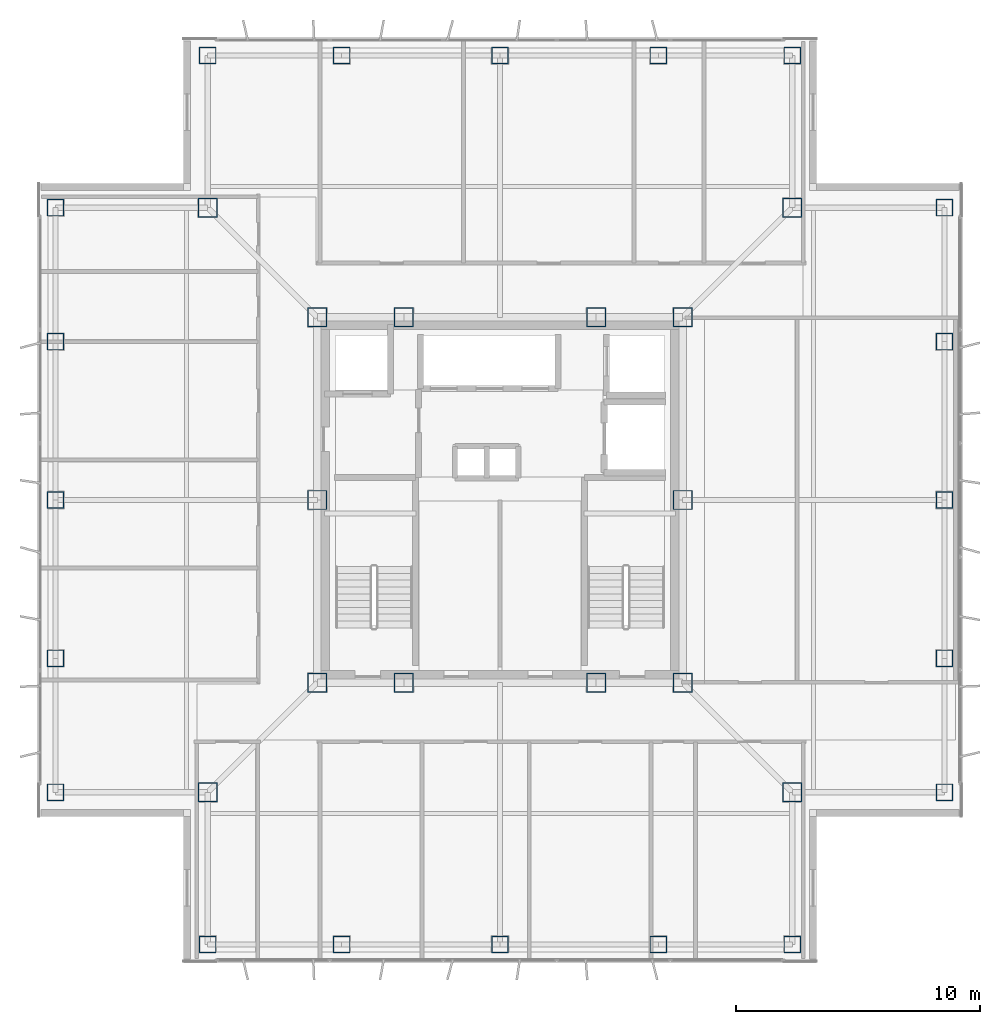
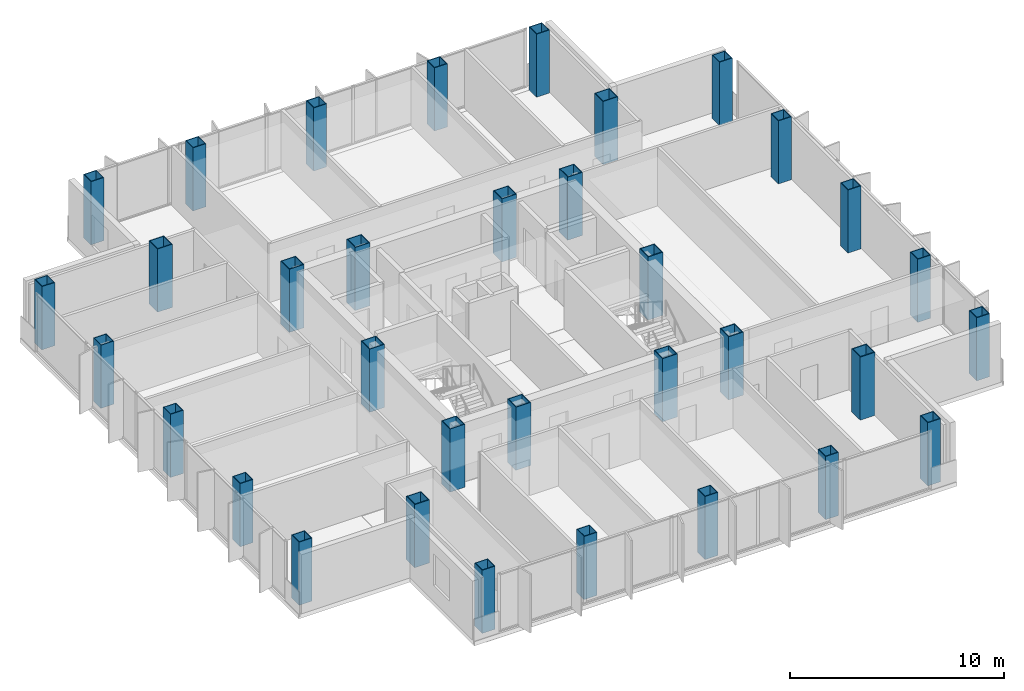
# One storey, part 1 of 15: 34 columns.
"""IFC4 building model written with IfcOpenShell, lengths in metres."""

from ifc_helpers import new_model, si_unit, direction, frame, origin, origin_2d, place, context, subcontext, project, spatial, hollow_rectangle, extrude, material, material_profile, profile_set, type_object, element, save


model = new_model("IFC4")

# Units and contexts
model_context = context("Model", 3, precision=1e-05, world=origin(), true_north=direction((0.0, 1.0)))
body_context = subcontext(model_context, "Body", "Model", "MODEL_VIEW")
ifc_project = project(units=[si_unit("LENGTHUNIT", "METRE"), si_unit("AREAUNIT", "SQUARE_METRE"), si_unit("VOLUMEUNIT", "CUBIC_METRE"), si_unit("PLANEANGLEUNIT", "RADIAN"), si_unit("MASSUNIT", "GRAM", prefix="KILO")], contexts=[model_context])

# Site, building, storey
site_placement = place(None, origin())
site = spatial("IfcSite", under=ifc_project, at=site_placement, CompositionType="ELEMENT")
building_placement = place(site_placement, origin())
building = spatial("IfcBuilding", under=site, at=building_placement, Name="Trevonay Congress Spire", CompositionType="ELEMENT")
storey_placement = place(building_placement, frame((0.0, 0.0, 239.60009765625)))
storey = spatial("IfcBuildingStorey", under=building, at=storey_placement, Name="L62", CompositionType="ELEMENT", Elevation=239.60009765625)

# Columns
ifc_material = material(Name="Steel ASTM A572 Grade 50", Category="steel")
ifc_material_profile_1 = material_profile(ifc_material, hollow_rectangle(XDim=0.800048828125, YDim=0.800048828125, WallThickness=0.0400390625, at=origin_2d()), Name="BOX 800x800x40")
ifc_profile_set_1 = profile_set([ifc_material_profile_1], Name="Steel ASTM A572 Grade 50")
column_type_1 = type_object("IfcColumnType", Name="COL-CORE-BOX800", PredefinedType="COLUMN", material=ifc_profile_set_1)
for number, where, z_axis, x_axis, name in (
    (1, (-7.5, -7.5, 0.0), (0.0, 0.0, 1.0), (1.0, 0.0, 0.0), "L62 column C05 at CC-SW"),
    (2, (-3.949951171875, -7.5, 0.0), (0.0, 0.0, 1.0), (1.0, 0.0, 0.0), "L62 column C05 at CC-SMW"),
    (3, (3.949951171875, -7.5, 0.0), (0.0, 0.0, 1.0), (1.0, 0.0, 0.0), "L62 column C05 at CC-SME"),
    (4, (7.5, -7.5, 0.0), (0.0, 0.0, 1.0), (1.0, 0.0, 0.0), "L62 column C05 at CC-SE"),
    (5, (7.5, 0.0, 0.0), (0.0, 0.0, 1.0), (1.0, 0.0, 0.0), "L62 column C05 at CC-E"),
    (6, (7.5, 7.5, 0.0), (0.0, 0.0, 1.0), (1.0, 0.0, 0.0), "L62 column C05 at CC-NE"),
    (7, (3.949951171875, 7.5, 0.0), (0.0, 0.0, 1.0), (1.0, 0.0, 0.0), "L62 column C05 at CC-NME"),
    (8, (-3.949951171875, 7.5, 0.0), (0.0, 0.0, 1.0), (1.0, 0.0, 0.0), "L62 column C05 at CC-NMW"),
    (9, (-7.5, 7.5, 0.0), (0.0, 0.0, 1.0), (1.0, 0.0, 0.0), "L62 column C05 at CC-NW"),
    (10, (-7.5, 0.0, 0.0), (0.0, 0.0, 1.0), (1.0, 0.0, 0.0), "L62 column C05 at CC-W"),
):
    element("IfcColumn", number, at=place(storey_placement, frame(where, z_axis=z_axis, x_axis=x_axis)), inside=storey, type_object=column_type_1, Name=name, PredefinedType="COLUMN", context=body_context, shape_type="SweptSolid", body=[
        extrude(hollow_rectangle(XDim=0.800048828125, YDim=0.800048828125, WallThickness=0.0400390625, at=origin_2d()), origin(), (0.0, 0.0, 1.0), 3.599853515625),
    ])
ifc_material_profile_2 = material_profile(ifc_material, hollow_rectangle(XDim=0.699951171875, YDim=0.699951171875, WallThickness=0.034912109375, at=origin_2d()), Name="BOX 700x700x35")
ifc_profile_set_2 = profile_set([ifc_material_profile_2], Name="Steel ASTM A572 Grade 50")
column_type_2 = type_object("IfcColumnType", Name="COL-TUBE-BOX700", PredefinedType="COLUMN", material=ifc_profile_set_2)
for number, where, z_axis, x_axis, name in (
    (11, (-12.0, -18.25, 0.0), (0.0, 0.0, 1.0), (1.0, 0.0, 0.0), "L62 column C17 at TS-1"),
    (12, (-12.0, 18.25, 0.0), (0.0, 0.0, 1.0), (1.0, 0.0, 0.0), "L62 column C17 at TN-1"),
    (13, (-18.25, -12.0, 0.0), (0.0, 0.0, 1.0), (1.0, 0.0, 0.0), "L62 column C17 at TW-1"),
    (14, (18.25, -12.0, 0.0), (0.0, 0.0, 1.0), (1.0, 0.0, 0.0), "L62 column C17 at TE-1"),
    (15, (-6.5, -18.25, 0.0), (0.0, 0.0, 1.0), (1.0, 0.0, 0.0), "L62 column C17 at TS-2"),
    (16, (-6.5, 18.25, 0.0), (0.0, 0.0, 1.0), (1.0, 0.0, 0.0), "L62 column C17 at TN-2"),
    (17, (-18.25, -6.5, 0.0), (0.0, 0.0, 1.0), (1.0, 0.0, 0.0), "L62 column C17 at TW-2"),
    (18, (18.25, -6.5, 0.0), (0.0, 0.0, 1.0), (1.0, 0.0, 0.0), "L62 column C17 at TE-2"),
    (19, (0.0, -18.25, 0.0), (0.0, 0.0, 1.0), (1.0, 0.0, 0.0), "L62 column C17 at TS-3"),
    (20, (0.0, 18.25, 0.0), (0.0, 0.0, 1.0), (1.0, 0.0, 0.0), "L62 column C17 at TN-3"),
    (21, (-18.25, 0.0, 0.0), (0.0, 0.0, 1.0), (1.0, 0.0, 0.0), "L62 column C17 at TW-3"),
    (22, (18.25, 0.0, 0.0), (0.0, 0.0, 1.0), (1.0, 0.0, 0.0), "L62 column C17 at TE-3"),
    (23, (6.5, -18.25, 0.0), (0.0, 0.0, 1.0), (1.0, 0.0, 0.0), "L62 column C17 at TS-4"),
    (24, (6.5, 18.25, 0.0), (0.0, 0.0, 1.0), (1.0, 0.0, 0.0), "L62 column C17 at TN-4"),
    (25, (-18.25, 6.5, 0.0), (0.0, 0.0, 1.0), (1.0, 0.0, 0.0), "L62 column C17 at TW-4"),
    (26, (18.25, 6.5, 0.0), (0.0, 0.0, 1.0), (1.0, 0.0, 0.0), "L62 column C17 at TE-4"),
    (27, (12.0, -18.25, 0.0), (0.0, 0.0, 1.0), (1.0, 0.0, 0.0), "L62 column C17 at TS-5"),
    (28, (12.0, 18.25, 0.0), (0.0, 0.0, 1.0), (1.0, 0.0, 0.0), "L62 column C17 at TN-5"),
    (29, (-18.25, 12.0, 0.0), (0.0, 0.0, 1.0), (1.0, 0.0, 0.0), "L62 column C17 at TW-5"),
    (30, (18.25, 12.0, 0.0), (0.0, 0.0, 1.0), (1.0, 0.0, 0.0), "L62 column C17 at TE-5"),
):
    element("IfcColumn", number, at=place(storey_placement, frame(where, z_axis=z_axis, x_axis=x_axis)), inside=storey, type_object=column_type_2, Name=name, PredefinedType="COLUMN", context=body_context, shape_type="SweptSolid", body=[
        extrude(hollow_rectangle(XDim=0.699951171875, YDim=0.699951171875, WallThickness=0.034912109375, at=origin_2d()), origin(), (0.0, 0.0, 1.0), 3.599853515625),
    ])
ifc_material_profile_3 = material_profile(ifc_material, hollow_rectangle(XDim=0.800048828125, YDim=0.800048828125, WallThickness=0.0400390625, at=origin_2d()), Name="BOX 800x800x40")
ifc_profile_set_3 = profile_set([ifc_material_profile_3], Name="Steel ASTM A572 Grade 50")
column_type_3 = type_object("IfcColumnType", Name="COL-TUBE-BOX800", PredefinedType="COLUMN", material=ifc_profile_set_3)
for number, where, z_axis, x_axis, name in (
    (31, (-12.0, -12.0, 0.0), (0.0, 0.0, 1.0), (1.0, 0.0, 0.0), "L62 column C16 at NC-SW"),
    (32, (12.0, -12.0, 0.0), (0.0, 0.0, 1.0), (1.0, 0.0, 0.0), "L62 column C16 at NC-SE"),
    (33, (12.0, 12.0, 0.0), (0.0, 0.0, 1.0), (1.0, 0.0, 0.0), "L62 column C16 at NC-NE"),
    (34, (-12.0, 12.0, 0.0), (0.0, 0.0, 1.0), (1.0, 0.0, 0.0), "L62 column C16 at NC-NW"),
):
    element("IfcColumn", number, at=place(storey_placement, frame(where, z_axis=z_axis, x_axis=x_axis)), inside=storey, type_object=column_type_3, Name=name, PredefinedType="COLUMN", context=body_context, shape_type="SweptSolid", body=[
        extrude(hollow_rectangle(XDim=0.800048828125, YDim=0.800048828125, WallThickness=0.0400390625, at=origin_2d()), origin(), (0.0, 0.0, 1.0), 3.599853515625),
    ])

save(model, "model.ifc")
